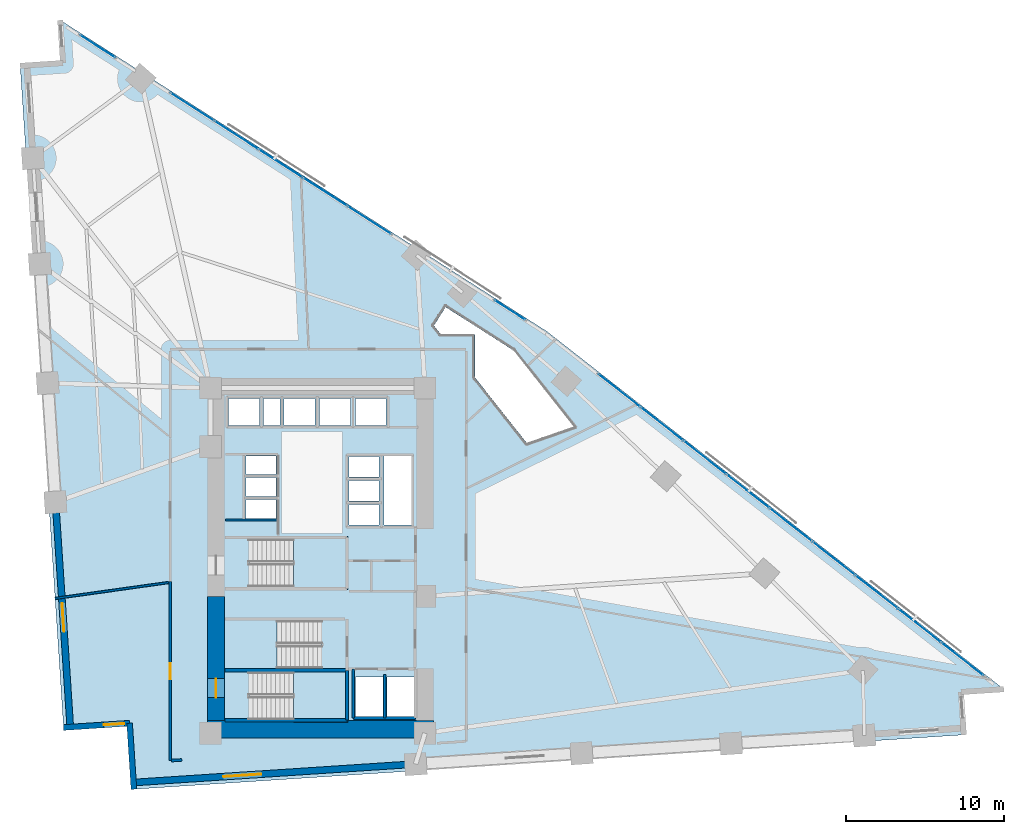
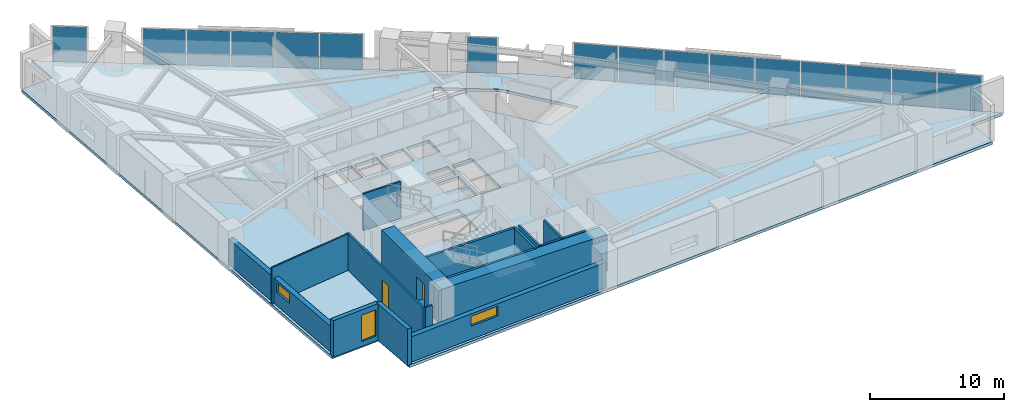
# One storey, part 10 of 15: 16 plates, 16 walls, 4 slabs, 3 windows, 2 doors, 5 openings, 7 elements without a shape of their own.
"""IFC4 building model written with IfcOpenShell, lengths in metres."""

from ifc_helpers import new_model, si_unit, direction, frame, frame_2d, origin, origin_2d, place, context, subcontext, project, spatial, polyline, rectangle, outline, extrude, material, layer, layer_set, type_object, element, fill, aggregate, save


model = new_model("IFC4")

# Units and contexts
model_context = context("Model", 3, precision=1e-05, world=origin(), true_north=direction((0.0, 1.0)))
body_context = subcontext(model_context, "Body", "Model", "MODEL_VIEW")
ifc_project = project(units=[si_unit("LENGTHUNIT", "METRE"), si_unit("AREAUNIT", "SQUARE_METRE"), si_unit("VOLUMEUNIT", "CUBIC_METRE"), si_unit("PLANEANGLEUNIT", "RADIAN"), si_unit("MASSUNIT", "GRAM", prefix="KILO")], contexts=[model_context])

# Site, building, storey
site_placement = place(None, origin())
site = spatial("IfcSite", under=ifc_project, at=site_placement, CompositionType="ELEMENT")
building_placement = place(site_placement, origin())
building = spatial("IfcBuilding", under=site, at=building_placement, Name="Narakoshi Arena Tower", CompositionType="ELEMENT")
storey_placement = place(building_placement, frame((0.0, 0.0, 74.10009765625)))
storey = spatial("IfcBuildingStorey", under=building, at=storey_placement, Name="L19", CompositionType="ELEMENT", Elevation=74.10009765625)

# Curtain wall, plates
ifc_material_1 = material(Name="Anodised bronze aluminium 6063-T6", Category="aluminium")
curtain_wall_type = type_object("IfcCurtainWallType", Name="CW-HYP-LOW", PredefinedType="NOTDEFINED", material=ifc_material_1)
curtain_wall_1_placement = place(storey_placement, origin())
curtain_wall_1 = element("IfcCurtainWall", 1, at=curtain_wall_1_placement, inside=storey, type_object=curtain_wall_type, Name="L19 Folded Hypotenuse Curtain Wall 1-1", PredefinedType="NOTDEFINED")
ifc_material_2 = material(Name="Bronze-tinted low-E laminated glass", Category="glass")
ifc_layer_1 = layer(ifc_material_2, 0.031982421875)
ifc_layer_set_1 = layer_set([ifc_layer_1], Name="Bronze-tinted low-E laminated glass")
plate_type = type_object("IfcPlateType", Name="PLT-GLZ-32", PredefinedType="CURTAIN_PANEL", material=ifc_layer_set_1)
plate_1_placement = place(storey_placement, frame((119.491455078125, 39.385986328125, 0.06494140625), z_axis=(0.0, 0.0, 1.0), x_axis=(-0.787387607817, 0.616458234641, 0.0)))
plate_1 = element("IfcPlate", 2, at=plate_1_placement, type_object=plate_type, Name="CW-01 panel 1.1", PredefinedType="CURTAIN_PANEL", context=body_context, shape_type="SweptSolid", body=[
    extrude(rectangle(XDim=3.331298828125, YDim=0.031982421875, at=origin_2d()), origin(), (0.0, 0.0, 1.0), 3.2099609375),
])
plate_2_placement = place(storey_placement, frame((116.794677734375, 41.497314453125, 0.06494140625), z_axis=(0.0, 0.0, 1.0), x_axis=(-0.787387607817, 0.616458234641, 0.0)))
plate_2 = element("IfcPlate", 3, at=plate_2_placement, type_object=plate_type, Name="CW-01 panel 2.1", PredefinedType="CURTAIN_PANEL", context=body_context, shape_type="SweptSolid", body=[
    extrude(rectangle(XDim=3.36865234375, YDim=0.031982421875, at=origin_2d()), origin(), (0.0, 0.0, 1.0), 3.2099609375),
])
plate_3_placement = place(storey_placement, frame((114.083251953125, 43.620361328125, 0.06494140625), z_axis=(0.0, 0.0, 1.0), x_axis=(-0.787387607817, 0.616458234641, 0.0)))
plate_3 = element("IfcPlate", 4, at=plate_3_placement, type_object=plate_type, Name="CW-01 panel 3.1", PredefinedType="CURTAIN_PANEL", context=body_context, shape_type="SweptSolid", body=[
    extrude(rectangle(XDim=3.36865234375, YDim=0.031982421875, at=origin_2d()), origin(), (0.0, 0.0, 1.0), 3.2099609375),
])
plate_4_placement = place(storey_placement, frame((111.37158203125, 45.7431640625, 0.06494140625), z_axis=(0.0, 0.0, 1.0), x_axis=(-0.787387607817, 0.616458234641, 0.0)))
plate_4 = element("IfcPlate", 5, at=plate_4_placement, type_object=plate_type, Name="CW-01 panel 4.1", PredefinedType="CURTAIN_PANEL", context=body_context, shape_type="SweptSolid", body=[
    extrude(rectangle(XDim=3.36865234375, YDim=0.031982421875, at=origin_2d()), origin(), (0.0, 0.0, 1.0), 3.2099609375),
])
plate_5_placement = place(storey_placement, frame((108.66015625, 47.8662109375, 0.06494140625), z_axis=(0.0, 0.0, 1.0), x_axis=(-0.787387607817, 0.616458234641, 0.0)))
plate_5 = element("IfcPlate", 6, at=plate_5_placement, type_object=plate_type, Name="CW-01 panel 5.1", PredefinedType="CURTAIN_PANEL", context=body_context, shape_type="SweptSolid", body=[
    extrude(rectangle(XDim=3.36865234375, YDim=0.031982421875, at=origin_2d()), origin(), (0.0, 0.0, 1.0), 3.2099609375),
])
plate_6_placement = place(storey_placement, frame((105.948486328125, 49.989013671875, 0.06494140625), z_axis=(0.0, 0.0, 1.0), x_axis=(-0.787387607817, 0.616458234641, 0.0)))
plate_6 = element("IfcPlate", 7, at=plate_6_placement, type_object=plate_type, Name="CW-01 panel 6.1", PredefinedType="CURTAIN_PANEL", context=body_context, shape_type="SweptSolid", body=[
    extrude(rectangle(XDim=3.36865234375, YDim=0.031982421875, at=origin_2d()), origin(), (0.0, 0.0, 1.0), 3.2099609375),
])
plate_7_placement = place(storey_placement, frame((103.237060546875, 52.11181640625, 0.06494140625), z_axis=(0.0, 0.0, 1.0), x_axis=(-0.787387607817, 0.616458234641, 0.0)))
plate_7 = element("IfcPlate", 8, at=plate_7_placement, type_object=plate_type, Name="CW-01 panel 7.1", PredefinedType="CURTAIN_PANEL", context=body_context, shape_type="SweptSolid", body=[
    extrude(rectangle(XDim=3.36865234375, YDim=0.031982421875, at=origin_2d()), origin(), (0.0, 0.0, 1.0), 3.2099609375),
])
plate_8_placement = place(storey_placement, frame((100.525634765625, 54.23486328125, 0.06494140625), z_axis=(0.0, 0.0, 1.0), x_axis=(-0.787387607817, 0.616458234641, 0.0)))
plate_8 = element("IfcPlate", 9, at=plate_8_placement, type_object=plate_type, Name="CW-01 panel 8.1", PredefinedType="CURTAIN_PANEL", context=body_context, shape_type="SweptSolid", body=[
    extrude(rectangle(XDim=3.36865234375, YDim=0.031982421875, at=origin_2d()), origin(), (0.0, 0.0, 1.0), 3.2099609375),
])
plate_9_placement = place(storey_placement, frame((97.828857421875, 56.34619140625, 0.06494140625), z_axis=(0.0, 0.0, 1.0), x_axis=(-0.787387607817, 0.616458234641, 0.0)))
plate_9 = element("IfcPlate", 10, at=plate_9_placement, type_object=plate_type, Name="CW-01 panel 9.1", PredefinedType="CURTAIN_PANEL", context=body_context, shape_type="SweptSolid", body=[
    extrude(rectangle(XDim=3.331298828125, YDim=0.031982421875, at=origin_2d()), origin(), (0.0, 0.0, 1.0), 3.2099609375),
])
aggregate(curtain_wall_1, [plate_1, plate_2, plate_3, plate_4, plate_5, plate_6, plate_7, plate_8, plate_9])

# Curtain wall, plate
curtain_wall_2_placement = place(storey_placement, origin())
curtain_wall_2 = element("IfcCurtainWall", 11, at=curtain_wall_2_placement, inside=storey, type_object=curtain_wall_type, Name="L19 Folded Hypotenuse Curtain Wall 2-1", PredefinedType="NOTDEFINED")
plate_10_placement = place(storey_placement, frame((90.921142578125, 61.4287109375, 0.06494140625), z_axis=(0.0, 0.0, 1.0), x_axis=(-0.842419407448, 0.538822365864, 0.0)))
plate_10 = element("IfcPlate", 12, at=plate_10_placement, type_object=plate_type, Name="CW-01 panel 1.1", PredefinedType="CURTAIN_PANEL", context=body_context, shape_type="SweptSolid", body=[
    extrude(rectangle(XDim=2.25439453125, YDim=0.031982421875, at=origin_2d()), origin(), (0.0, 0.0, 1.0), 3.2099609375),
])
aggregate(curtain_wall_2, [plate_10])

# Curtain wall, plates
curtain_wall_3_placement = place(storey_placement, origin())
curtain_wall_3 = element("IfcCurtainWall", 13, at=curtain_wall_3_placement, inside=storey, type_object=curtain_wall_type, Name="L19 Folded Hypotenuse Curtain Wall 2-2", PredefinedType="NOTDEFINED")
plate_11_placement = place(storey_placement, frame((82.033447265625, 67.113525390625, 0.06494140625), z_axis=(0.0, 0.0, 1.0), x_axis=(-0.842415100992, 0.538829098714, 0.0)))
plate_11 = element("IfcPlate", 14, at=plate_11_placement, type_object=plate_type, Name="CW-01 panel 1.1", PredefinedType="CURTAIN_PANEL", context=body_context, shape_type="SweptSolid", body=[
    extrude(rectangle(XDim=3.2158203125, YDim=0.031982421875, at=origin_2d()), origin(), (0.0, 0.0, 1.0), 3.2099609375),
])
plate_12_placement = place(storey_placement, frame((79.24560546875, 68.896728515625, 0.06494140625), z_axis=(0.0, 0.0, 1.0), x_axis=(-0.842415100992, 0.538829098714, 0.0)))
plate_12 = element("IfcPlate", 15, at=plate_12_placement, type_object=plate_type, Name="CW-01 panel 2.1", PredefinedType="CURTAIN_PANEL", context=body_context, shape_type="SweptSolid", body=[
    extrude(rectangle(XDim=3.253173828125, YDim=0.031982421875, at=origin_2d()), origin(), (0.0, 0.0, 1.0), 3.2099609375),
])
plate_13_placement = place(storey_placement, frame((76.441650390625, 70.690185546875, 0.06494140625), z_axis=(0.0, 0.0, 1.0), x_axis=(-0.842415100992, 0.538829098714, 0.0)))
plate_13 = element("IfcPlate", 16, at=plate_13_placement, type_object=plate_type, Name="CW-01 panel 3.1", PredefinedType="CURTAIN_PANEL", context=body_context, shape_type="SweptSolid", body=[
    extrude(rectangle(XDim=3.253173828125, YDim=0.031982421875, at=origin_2d()), origin(), (0.0, 0.0, 1.0), 3.2099609375),
])
plate_14_placement = place(storey_placement, frame((73.637939453125, 72.4833984375, 0.06494140625), z_axis=(0.0, 0.0, 1.0), x_axis=(-0.842415100992, 0.538829098714, 0.0)))
plate_14 = element("IfcPlate", 17, at=plate_14_placement, type_object=plate_type, Name="CW-01 panel 4.1", PredefinedType="CURTAIN_PANEL", context=body_context, shape_type="SweptSolid", body=[
    extrude(rectangle(XDim=3.253173828125, YDim=0.031982421875, at=origin_2d()), origin(), (0.0, 0.0, 1.0), 3.2099609375),
])
plate_15_placement = place(storey_placement, frame((70.85009765625, 74.266845703125, 0.06494140625), z_axis=(0.0, 0.0, 1.0), x_axis=(-0.842415100992, 0.538829098714, 0.0)))
plate_15 = element("IfcPlate", 18, at=plate_15_placement, type_object=plate_type, Name="CW-01 panel 5.1", PredefinedType="CURTAIN_PANEL", context=body_context, shape_type="SweptSolid", body=[
    extrude(rectangle(XDim=3.2158203125, YDim=0.031982421875, at=origin_2d()), origin(), (0.0, 0.0, 1.0), 3.2099609375),
])
aggregate(curtain_wall_3, [plate_11, plate_12, plate_13, plate_14, plate_15])

# Curtain wall, plate
curtain_wall_4_placement = place(storey_placement, origin())
curtain_wall_4 = element("IfcCurtainWall", 19, at=curtain_wall_4_placement, inside=storey, type_object=curtain_wall_type, Name="L19 Folded Hypotenuse Curtain Wall 2-3", PredefinedType="NOTDEFINED")
plate_16_placement = place(storey_placement, frame((64.867919921875, 78.093017578125, 0.06494140625), z_axis=(0.0, 0.0, 1.0), x_axis=(-0.842407418791, 0.538841109017, 0.0)))
plate_16 = element("IfcPlate", 20, at=plate_16_placement, type_object=plate_type, Name="CW-01 panel 1.1", PredefinedType="CURTAIN_PANEL", context=body_context, shape_type="SweptSolid", body=[
    extrude(rectangle(XDim=2.60009765625, YDim=0.031982421875, at=origin_2d()), origin(), (0.0, 0.0, 1.0), 3.2099609375),
])
aggregate(curtain_wall_4, [plate_16])

# Stair, slab
ifc_material_3 = material(Name="Concrete C45/55", Category="concrete")
stair_type = type_object("IfcStairType", Name="STR-CORE-360", PredefinedType="TWO_STRAIGHT_RUN_STAIR", material=ifc_material_3)
stair_1_placement = place(storey_placement, origin())
stair_1 = element("IfcStair", 21, at=stair_1_placement, inside=storey, type_object=stair_type, Name="L19 Core Escape Stair ST1", PredefinedType="TWO_STRAIGHT_RUN_STAIR")
ifc_layer_2 = layer(ifc_material_3, 0.18994140625)
ifc_layer_set_2 = layer_set([ifc_layer_2], Name="Concrete C45/55")
slab_type_1 = type_object("IfcSlabType", Name="SLB-LND-190", PredefinedType="LANDING", material=ifc_layer_set_2)
slab_1_placement = place(storey_placement, frame((0.0, 0.0, 1.60986328125)))
slab_1 = element("IfcSlab", 22, at=slab_1_placement, type_object=slab_type_1, Name="ST1 landing 1", PredefinedType="LANDING", context=body_context, shape_type="SweptSolid", body=[
    extrude(outline(polyline([(77.25, 35.3701171875), (80.679931640625, 35.3701171875), (80.679931640625, 38.72998046875), (77.25, 38.72998046875), (77.25, 35.3701171875)])), origin(), (0.0, 0.0, 1.0), 0.18994140625),
])
aggregate(stair_1, [slab_1])

stair_2_placement = place(storey_placement, origin())
stair_2 = element("IfcStair", 23, at=stair_2_placement, inside=storey, type_object=stair_type, Name="L19 Core Escape Stair ST2", PredefinedType="TWO_STRAIGHT_RUN_STAIR")
slab_2_placement = place(storey_placement, frame((0.0, 0.0, 1.60986328125)))
slab_2 = element("IfcSlab", 24, at=slab_2_placement, type_object=slab_type_1, Name="ST2 landing 1", PredefinedType="LANDING", context=body_context, shape_type="SweptSolid", body=[
    extrude(outline(polyline([(72.77001953125, 38.6201171875), (76.199951171875, 38.6201171875), (76.199951171875, 41.97998046875), (72.77001953125, 41.97998046875), (72.77001953125, 38.6201171875)])), origin(), (0.0, 0.0, 1.0), 0.18994140625),
])
aggregate(stair_2, [slab_2])

stair_3_placement = place(storey_placement, origin())
stair_3 = element("IfcStair", 25, at=stair_3_placement, inside=storey, type_object=stair_type, Name="L19 Core Escape Stair ST3", PredefinedType="TWO_STRAIGHT_RUN_STAIR")
slab_3_placement = place(storey_placement, frame((0.0, 0.0, 1.60986328125)))
slab_3 = element("IfcSlab", 26, at=slab_3_placement, type_object=slab_type_1, Name="ST3 landing 1", PredefinedType="LANDING", context=body_context, shape_type="SweptSolid", body=[
    extrude(outline(polyline([(77.25, 43.77001953125), (80.679931640625, 43.77001953125), (80.679931640625, 47.1298828125), (77.25, 47.1298828125), (77.25, 43.77001953125)])), origin(), (0.0, 0.0, 1.0), 0.18994140625),
])
aggregate(stair_3, [slab_3])

# Slab
ifc_material_4 = material(Name="Concrete C50/60", Category="concrete")
ifc_layer_3 = layer(ifc_material_4, 0.260009765625)
ifc_layer_set_3 = layer_set([ifc_layer_3], Name="Concrete C50/60")
slab_type_2 = type_object("IfcSlabType", Name="SLB-SKY-260", PredefinedType="FLOOR", material=ifc_layer_set_3)
slab_4_placement = place(storey_placement, frame((0.0, 0.0, -0.260009765625)))
element("IfcSlab", 27, at=slab_4_placement, inside=storey, type_object=slab_type_2, Name="L19 Structural Floor Slab", PredefinedType="FLOOR", context=body_context, shape_type="SweptSolid", body=[
    extrude(outline(polyline([(67.160888671875, 31.15869140625), (119.58447265625, 34.594482421875), (119.40673828125, 37.30517578125), (122.1171875, 37.48291015625), (93.26220703125, 60.07373046875), (62.5107421875, 79.743408203125), (62.688232421875, 77.03271484375), (59.977783203125, 76.85498046875), (62.717529296875, 35.055419921875), (66.887451171875, 35.32861328125), (67.160888671875, 31.15869140625)]), holes=[polyline([(74.47998046875, 35.550048828125), (74.47998046875, 38.550048828125), (80.5, 38.550048828125), (80.5, 35.550048828125), (74.47998046875, 35.550048828125)]), polyline([(81.14990234375, 35.75), (81.14990234375, 38.25), (82.89990234375, 38.25), (82.89990234375, 35.75), (81.14990234375, 35.75)]), polyline([(83.14990234375, 35.75), (83.14990234375, 38.25), (84.89990234375, 38.25), (84.89990234375, 35.75), (83.14990234375, 35.75)]), polyline([(72.949951171875, 38.800048828125), (72.949951171875, 41.800048828125), (78.969970703125, 41.800048828125), (78.969970703125, 38.800048828125), (72.949951171875, 38.800048828125)]), polyline([(74.47998046875, 43.949951171875), (74.47998046875, 46.949951171875), (80.5, 46.949951171875), (80.5, 43.949951171875), (74.47998046875, 43.949951171875)]), polyline([(82.949951171875, 47.840087890625), (82.949951171875, 52.199951171875), (84.699951171875, 52.199951171875), (84.699951171875, 47.840087890625), (82.949951171875, 47.840087890625)]), polyline([(80.75, 47.85009765625), (80.75, 49.14990234375), (82.64990234375, 49.14990234375), (82.64990234375, 47.85009765625), (80.75, 47.85009765625)]), polyline([(74.25, 48.25), (74.25, 49.449951171875), (76.14990234375, 49.449951171875), (76.14990234375, 48.25), (74.25, 48.25)]), polyline([(80.75, 49.3701171875), (80.75, 50.669921875), (82.64990234375, 50.669921875), (82.64990234375, 49.3701171875), (80.75, 49.3701171875)]), polyline([(74.25, 49.64990234375), (74.25, 50.85009765625), (76.14990234375, 50.85009765625), (76.14990234375, 49.64990234375), (74.25, 49.64990234375)]), polyline([(80.75, 50.889892578125), (80.75, 52.18994140625), (82.64990234375, 52.18994140625), (82.64990234375, 50.889892578125), (80.75, 50.889892578125)]), polyline([(74.25, 51.050048828125), (74.25, 52.2099609375), (76.14990234375, 52.2099609375), (76.14990234375, 51.050048828125), (74.25, 51.050048828125)]), polyline([(91.15478515625, 58.86962890625), (94.96044921875, 54.05859375), (91.984375, 53.02880859375), (88.699951171875, 57.1806640625), (88.699951171875, 59.89990234375), (86.548828125, 59.89990234375), (86.112548828125, 60.451416015625), (86.85400390625, 61.620361328125), (91.15478515625, 58.86962890625)]), polyline([(73.14990234375, 54.14990234375), (73.14990234375, 55.85009765625), (75.10009765625, 55.85009765625), (75.10009765625, 54.14990234375), (73.14990234375, 54.14990234375)]), polyline([(75.35009765625, 55.85009765625), (76.39990234375, 55.85009765625), (76.39990234375, 54.14990234375), (75.35009765625, 54.14990234375), (75.35009765625, 55.85009765625)]), polyline([(76.64990234375, 55.85009765625), (78.60009765625, 55.85009765625), (78.60009765625, 54.14990234375), (76.64990234375, 54.14990234375), (76.64990234375, 55.85009765625)]), polyline([(78.89990234375, 54.14990234375), (78.89990234375, 55.85009765625), (80.85009765625, 55.85009765625), (80.85009765625, 54.14990234375), (78.89990234375, 54.14990234375)]), polyline([(81.14990234375, 55.85009765625), (83.10009765625, 55.85009765625), (83.10009765625, 54.14990234375), (81.14990234375, 54.14990234375), (81.14990234375, 55.85009765625)])]), origin(), (0.0, 0.0, 1.0), 0.260009765625),
])

# Wall, opening, door
ifc_material_5 = material(Name="Concrete C60/75", Category="concrete")
ifc_layer_4 = layer(ifc_material_5, 1.10009765625)
ifc_layer_set_4 = layer_set([ifc_layer_4], Name="Concrete C60/75")
wall_type_1 = type_object("IfcWallType", Name="WL-CORE-1100", PredefinedType="SHEAR", material=ifc_layer_set_4)
wall_1_placement = place(storey_placement, frame((72.35009765625, 35.5, -0.260009765625), z_axis=(0.0, 0.0, 1.0), x_axis=(0.0, 1.0, 0.0)))
wall_1 = element("IfcWall", 28, at=wall_1_placement, inside=storey, type_object=wall_type_1, Name="L19 Central Core Shear Wall CW-APX-W", PredefinedType="SHEAR", context=body_context, shape_type="SweptSolid", body=[
    extrude(rectangle(XDim=7.85009765625, YDim=1.10009765625, at=frame_2d((3.925048828125, 0.0))), origin(), (0.0, 0.0, 1.0), 3.599853515625),
])
opening_1_placement = place(wall_1_placement, frame((1.449951171875, 0.0, 0.260009765625)))
opening_1 = element("IfcOpeningElement", 29, at=opening_1_placement, cuts=wall_1, Name="Opening D-03", PredefinedType="OPENING", context=body_context, shape_type="SweptSolid", body=[
    extrude(rectangle(XDim=1.199951171875, YDim=2.199951171875, at=frame_2d((0.60009765625, 1.10009765625))), frame((0.0, 0.56005859375, 0.0), z_axis=(0.0, -1.0, 0.0), x_axis=(1.0, 0.0, 0.0)), (0.0, 0.0, 1.0), 1.1201171875),
])
ifc_material_6 = material(Name="Painted galvanized steel", Category="steel")
door_type_1 = type_object("IfcDoorType", Name="DR-STR-1200", OperationType="NOTDEFINED", PredefinedType="USERDEFINED", material=ifc_material_6)
door_1_placement = place(opening_1_placement, frame((1.199951171875, 0.0, 0.0), z_axis=(0.0, 0.0, 1.0), x_axis=(-1.0, 0.0, 0.0)))
door_1 = element("IfcDoor", 30, at=door_1_placement, inside=storey, type_object=door_type_1, Name="DR-L19-001", ObjectType="EXITDOOR", OperationType="SINGLE_SWING_LEFT", OverallHeight=2.199951171875, OverallWidth=1.199951171875, PredefinedType="USERDEFINED", context=body_context, shape_type="SweptSolid", body=[
    extrude(rectangle(XDim=1.199951171875, YDim=2.199951171875, at=frame_2d((0.60009765625, 1.10009765625))), frame((0.0, 0.02490234375, 0.0), z_axis=(0.0, -1.0, 0.0), x_axis=(1.0, 0.0, 0.0)), (0.0, 0.0, 1.0), 0.050048828125),
])
fill(opening_1, door_1)

# Wall
wall_2_placement = place(storey_placement, frame((71.800048828125, 34.949951171875, -0.260009765625), z_axis=(0.0, 0.0, 1.0), x_axis=(1.0, 0.0, 0.0)))
element("IfcWall", 31, at=wall_2_placement, inside=storey, type_object=wall_type_1, Name="L19 Central Core Shear Wall CW-APX-S", PredefinedType="SHEAR", context=body_context, shape_type="SweptSolid", body=[
    extrude(rectangle(XDim=14.300048828125, YDim=1.10009765625, at=frame_2d((7.14990234375, 0.0))), origin(), (0.0, 0.0, 1.0), 3.599853515625),
])

# Wall, opening, door
ifc_material_7 = material(Name="Gypsum plasterboard fire-rated partition")
ifc_layer_5 = layer(ifc_material_7, 0.1650390625)
ifc_layer_set_5 = layer_set([ifc_layer_5], Name="Gypsum plasterboard fire-rated partition")
wall_type_2 = type_object("IfcWallType", Name="WL-CORR-165", PredefinedType="PARTITIONING", material=ifc_layer_set_5)
wall_3_placement = place(storey_placement, frame((69.449951171875, 44.267822265625, 0.0), z_axis=(0.0, 0.0, 1.0), x_axis=(0.0, -1.0, 0.0)))
wall_3 = element("IfcWall", 32, at=wall_3_placement, inside=storey, type_object=wall_type_2, Name="L19 Corridor Partition 01-1", PredefinedType="PARTITIONING", context=body_context, shape_type="SweptSolid", body=[
    extrude(rectangle(XDim=11.3056640625, YDim=0.1650390625, at=frame_2d((5.65283203125, 0.0))), origin(), (0.0, 0.0, 1.0), 3.33984375),
])
opening_2_placement = place(wall_3_placement, frame((5.15283203125, 0.0, 0.0)))
opening_2 = element("IfcOpeningElement", 33, at=opening_2_placement, cuts=wall_3, Name="Opening D-06", PredefinedType="OPENING", context=body_context, shape_type="SweptSolid", body=[
    extrude(rectangle(XDim=1.0, YDim=2.199951171875, at=frame_2d((0.5, 1.10009765625))), frame((0.0, 0.092529296875, 0.0), z_axis=(0.0, -1.0, 0.0), x_axis=(1.0, 0.0, 0.0)), (0.0, 0.0, 1.0), 0.18505859375),
])
ifc_material_8 = material(Name="Stained oak solid-core timber", Category="wood")
door_type_2 = type_object("IfcDoorType", Name="DR-OFF-1000", OperationType="NOTDEFINED", PredefinedType="DOOR", material=ifc_material_8)
door_2_placement = place(opening_2_placement, frame((1.0, 0.0, 0.0), z_axis=(0.0, 0.0, 1.0), x_axis=(-1.0, 0.0, 0.0)))
door_2 = element("IfcDoor", 34, at=door_2_placement, inside=storey, type_object=door_type_2, Name="DR-L19-014", OperationType="SINGLE_SWING_LEFT", OverallHeight=2.199951171875, OverallWidth=1.0, PredefinedType="DOOR", context=body_context, shape_type="SweptSolid", body=[
    extrude(rectangle(XDim=1.0, YDim=2.199951171875, at=frame_2d((0.5, 1.10009765625))), frame((0.0, 0.02490234375, 0.0), z_axis=(0.0, -1.0, 0.0), x_axis=(1.0, 0.0, 0.0)), (0.0, 0.0, 1.0), 0.050048828125),
])
fill(opening_2, door_2)

# Walls
wall_4_placement = place(storey_placement, frame((69.54443359375, 32.968505859375, 0.0), z_axis=(0.0, 0.0, 1.0), x_axis=(0.997863449428, 0.065334036278, 0.0)))
element("IfcWall", 35, at=wall_4_placement, inside=storey, type_object=wall_type_2, Name="L19 Corridor Partition 01-2", PredefinedType="PARTITIONING", context=body_context, shape_type="SweptSolid", body=[
    extrude(rectangle(XDim=0.642822265625, YDim=0.1650390625, at=frame_2d((0.3212890625, 0.0))), origin(), (0.0, 0.0, 1.0), 3.33984375),
])
ifc_layer_6 = layer(ifc_material_7, 0.125)
ifc_layer_set_6 = layer_set([ifc_layer_6], Name="Gypsum plasterboard fire-rated partition")
wall_type_3 = type_object("IfcWallType", Name="WL-PART-125", PredefinedType="PARTITIONING", material=ifc_layer_set_6)
wall_5_placement = place(storey_placement, frame((62.182861328125, 43.2119140625, 0.0), z_axis=(0.0, 0.0, 1.0), x_axis=(0.990300324939, 0.138943392879, 0.0)))
element("IfcWall", 36, at=wall_5_placement, inside=storey, type_object=wall_type_3, Name="L19 Inter-Room Partition 01-07", PredefinedType="PARTITIONING", context=body_context, shape_type="SweptSolid", body=[
    extrude(rectangle(XDim=7.242919921875, YDim=0.125, at=frame_2d((3.62158203125, 0.0))), origin(), (0.0, 0.0, 1.0), 3.33984375),
])

# Wall, opening, window
ifc_material_9 = material(Name="Precast concrete C45/55", Category="concrete")
ifc_layer_7 = layer(ifc_material_9, 0.419921875)
ifc_layer_set_7 = layer_set([ifc_layer_7], Name="Precast concrete C45/55")
wall_type_4 = type_object("IfcWallType", Name="WL-POD-420", PredefinedType="SOLIDWALL", material=ifc_layer_set_7)
wall_6_placement = place(storey_placement, frame((67.133056640625, 31.582763671875, 0.0), z_axis=(0.0, 0.0, 1.0), x_axis=(0.997859040617, 0.065401338356, 0.0)))
wall_6 = element("IfcWall", 37, at=wall_6_placement, inside=storey, type_object=wall_type_4, Name="L19 Architectural Concrete Facade Wall LEGA-1", PredefinedType="SOLIDWALL", context=body_context, shape_type="SweptSolid", body=[
    extrude(rectangle(XDim=17.8623046875, YDim=0.419921875, at=frame_2d((8.93115234375, 0.0))), origin(), (0.0, 0.0, 1.0), 2.324951171875),
])
opening_3_placement = place(wall_6_placement, frame((5.699951171875, 0.0, 1.199951171875)))
opening_3 = element("IfcOpeningElement", 38, at=opening_3_placement, cuts=wall_6, Name="Opening WN-01", PredefinedType="OPENING", context=body_context, shape_type="SweptSolid", body=[
    extrude(rectangle(XDim=2.39990234375, YDim=0.89990234375, at=frame_2d((1.199951171875, 0.449951171875))), frame((0.0, 0.219970703125, 0.0), z_axis=(0.0, -1.0, 0.0), x_axis=(1.0, 0.0, 0.0)), (0.0, 0.0, 1.0), 0.43994140625),
])
window_type_1 = type_object("IfcWindowType", Name="WIN-SLT-24x09", PartitioningType="SINGLE_PANEL", PredefinedType="WINDOW", material=ifc_material_2)
window_1_placement = place(opening_3_placement, origin())
window_1 = element("IfcWindow", 39, at=window_1_placement, inside=storey, type_object=window_type_1, Name="L19 LEGA1 Horizontal Slot Window 1", OverallHeight=0.89990234375, OverallWidth=2.39990234375, PartitioningType="SINGLE_PANEL", PredefinedType="WINDOW", context=body_context, shape_type="SweptSolid", body=[
    extrude(rectangle(XDim=2.39990234375, YDim=0.89990234375, at=frame_2d((1.199951171875, 0.449951171875))), frame((0.0, 0.030029296875, 0.0), z_axis=(0.0, -1.0, 0.0), x_axis=(1.0, 0.0, 0.0)), (0.0, 0.0, 1.0), 0.06005859375),
])
fill(opening_3, window_1)

wall_7_placement = place(storey_placement, frame((62.210205078125, 49.294921875, 0.0), z_axis=(0.0, 0.0, 1.0), x_axis=(0.065396027757, -0.997859388668, 0.0)))
wall_7 = element("IfcWall", 40, at=wall_7_placement, inside=storey, type_object=wall_type_4, Name="L19 Architectural Concrete Facade Wall LEGB-3", PredefinedType="SOLIDWALL", context=body_context, shape_type="SweptSolid", body=[
    extrude(rectangle(XDim=14.242431640625, YDim=0.419921875, at=frame_2d((7.12109375, 0.0))), origin(), (0.0, 0.0, 1.0), 2.324951171875),
])
opening_4_placement = place(wall_7_placement, frame((6.39990234375, 0.0, 1.199951171875)))
opening_4 = element("IfcOpeningElement", 41, at=opening_4_placement, cuts=wall_7, Name="Opening WN-02", PredefinedType="OPENING", context=body_context, shape_type="SweptSolid", body=[
    extrude(rectangle(XDim=1.800048828125, YDim=0.89990234375, at=frame_2d((0.89990234375, 0.449951171875))), frame((0.0, 0.219970703125, 0.0), z_axis=(0.0, -1.0, 0.0), x_axis=(1.0, 0.0, 0.0)), (0.0, 0.0, 1.0), 0.43994140625),
])
window_type_2 = type_object("IfcWindowType", Name="WIN-SLT-18x09", PartitioningType="SINGLE_PANEL", PredefinedType="WINDOW", material=ifc_material_2)
window_2_placement = place(opening_4_placement, origin())
window_2 = element("IfcWindow", 42, at=window_2_placement, inside=storey, type_object=window_type_2, Name="L19 LEGB3 Horizontal Slot Window 1", OverallHeight=0.89990234375, OverallWidth=1.800048828125, PartitioningType="SINGLE_PANEL", PredefinedType="WINDOW", context=body_context, shape_type="SweptSolid", body=[
    extrude(rectangle(XDim=1.800048828125, YDim=0.89990234375, at=frame_2d((0.89990234375, 0.449951171875))), frame((0.0, 0.030029296875, 0.0), z_axis=(0.0, -1.0, 0.0), x_axis=(1.0, 0.0, 0.0)), (0.0, 0.0, 1.0), 0.06005859375),
])
fill(opening_4, window_2)

wall_8_placement = place(storey_placement, frame((62.717529296875, 35.055419921875, 0.0), z_axis=(0.0, 0.0, 1.0), x_axis=(0.997860761953, 0.065375069826, 0.0)))
wall_8 = element("IfcWall", 43, at=wall_8_placement, inside=storey, type_object=wall_type_4, Name="L19 Re-Entrant Corner Notch Wall NTA-1", PredefinedType="SOLIDWALL", context=body_context, shape_type="SweptSolid", body=[
    extrude(rectangle(XDim=4.178955078125, YDim=0.360107421875, at=frame_2d((2.08935546875, 0.0))), origin(), (0.0, 0.0, 1.0), 3.33984375),
])
opening_5_placement = place(wall_8_placement, frame((2.5390625, 0.0, 0.449951171875)))
opening_5 = element("IfcOpeningElement", 44, at=opening_5_placement, cuts=wall_8, Name="Opening WN-06", PredefinedType="OPENING", context=body_context, shape_type="SweptSolid", body=[
    extrude(rectangle(XDim=1.300048828125, YDim=2.39990234375, at=frame_2d((0.64990234375, 1.199951171875))), frame((0.0, 0.18994140625, 0.0), z_axis=(0.0, -1.0, 0.0), x_axis=(1.0, 0.0, 0.0)), (0.0, 0.0, 1.0), 0.380126953125),
])
window_type_3 = type_object("IfcWindowType", Name="WIN-NTC-16x24", PartitioningType="SINGLE_PANEL", PredefinedType="WINDOW", material=ifc_material_2)
window_3_placement = place(opening_5_placement, origin())
window_3 = element("IfcWindow", 45, at=window_3_placement, inside=storey, type_object=window_type_3, Name="L19 Corner Notch Window NTA", OverallHeight=2.39990234375, OverallWidth=1.300048828125, PartitioningType="SINGLE_PANEL", PredefinedType="WINDOW", context=body_context, shape_type="SweptSolid", body=[
    extrude(rectangle(XDim=1.300048828125, YDim=2.39990234375, at=frame_2d((0.64990234375, 1.199951171875))), frame((0.0, 0.030029296875, 0.0), z_axis=(0.0, -1.0, 0.0), x_axis=(1.0, 0.0, 0.0)), (0.0, 0.0, 1.0), 0.06005859375),
])
fill(opening_5, window_3)

# Walls
wall_9_placement = place(storey_placement, frame((66.887451171875, 35.32861328125, 0.0), z_axis=(0.0, 0.0, 1.0), x_axis=(0.065433242561, -0.99785694905, 0.0)))
element("IfcWall", 46, at=wall_9_placement, inside=storey, type_object=wall_type_4, Name="L19 Re-Entrant Corner Notch Wall NTA-2", PredefinedType="SOLIDWALL", context=body_context, shape_type="SweptSolid", body=[
    extrude(rectangle(XDim=4.178955078125, YDim=0.360107421875, at=frame_2d((2.08935546875, 0.0))), origin(), (0.0, 0.0, 1.0), 3.33984375),
])
ifc_material_10 = material(Name="Concrete C40/50", Category="concrete")
ifc_layer_8 = layer(ifc_material_10, 0.280029296875)
ifc_layer_set_8 = layer_set([ifc_layer_8], Name="Concrete C40/50")
wall_type_5 = type_object("IfcWallType", Name="WL-RISER-280", PredefinedType="PLUMBINGWALL", material=ifc_layer_set_8)
wall_10_placement = place(storey_placement, frame((83.0, 35.64990234375, 0.0), z_axis=(0.0, 0.0, 1.0), x_axis=(0.0, 1.0, 0.0)))
element("IfcWall", 47, at=wall_10_placement, inside=storey, type_object=wall_type_5, Name="L19 Core Wall FF-DIV", PredefinedType="PLUMBINGWALL", context=body_context, shape_type="SweptSolid", body=[
    extrude(rectangle(XDim=2.75, YDim=0.159912109375, at=frame_2d((1.375, 0.0))), origin(), (0.0, 0.0, 1.0), 3.33984375),
])
wall_11_placement = place(storey_placement, frame((72.949951171875, 48.159912109375, 0.0), z_axis=(0.0, 0.0, 1.0), x_axis=(1.0, 0.0, 0.0)))
element("IfcWall", 48, at=wall_11_placement, inside=storey, type_object=wall_type_5, Name="L19 Core Wall LR-S0", PredefinedType="PLUMBINGWALL", context=body_context, shape_type="SweptSolid", body=[
    extrude(rectangle(XDim=3.239990234375, YDim=0.139892578125, at=frame_2d((1.6201171875, 0.0))), origin(), (0.0, 0.0, 1.0), 3.33984375),
])
ifc_layer_9 = layer(ifc_material_4, 0.35009765625)
ifc_layer_set_9 = layer_set([ifc_layer_9], Name="Concrete C50/60")
wall_type_6 = type_object("IfcWallType", Name="WL-SHAFT-350", PredefinedType="SOLIDWALL", material=ifc_layer_set_9)
for number, where, z_axis, x_axis, name in (
    (49, (72.919921875, 35.52001953125, -0.260009765625), (0.0, 0.0, 1.0), (1.0, 0.0, 0.0), "L19 Core Wall ST1-S"),
    (50, (72.919921875, 38.675048828125, -0.260009765625), (0.0, 0.0, 1.0), (1.0, 0.0, 0.0), "L19 Core Wall ST12-DIV"),
):
    element("IfcWall", number, at=place(storey_placement, frame(where, z_axis=z_axis, x_axis=x_axis)), inside=storey, type_object=wall_type_6, Name=name, PredefinedType="SOLIDWALL", context=body_context, shape_type="SweptSolid", body=[
        extrude(rectangle(XDim=7.7001953125, YDim=0.199951171875, at=frame_2d((3.85009765625, 0.0))), origin(), (0.0, 0.0, 1.0), 3.599853515625),
    ])
wall_12_placement = place(storey_placement, frame((80.6201171875, 35.52001953125, -0.260009765625), z_axis=(0.0, 0.0, 1.0), x_axis=(0.0, 1.0, 0.0)))
element("IfcWall", 51, at=wall_12_placement, inside=storey, type_object=wall_type_6, Name="L19 Core Wall ST1-E", PredefinedType="SOLIDWALL", context=body_context, shape_type="SweptSolid", body=[
    extrude(rectangle(XDim=3.155029296875, YDim=0.199951171875, at=frame_2d((1.57763671875, 0.0))), origin(), (0.0, 0.0, 1.0), 3.599853515625),
])
wall_13_placement = place(storey_placement, frame((81.02001953125, 35.64990234375, 0.0), z_axis=(0.0, 0.0, 1.0), x_axis=(0.0, 1.0, 0.0)))
element("IfcWall", 52, at=wall_13_placement, inside=storey, type_object=wall_type_6, Name="L19 Core Wall FF-W", PredefinedType="SOLIDWALL", context=body_context, shape_type="SweptSolid", body=[
    extrude(rectangle(XDim=3.10009765625, YDim=0.179931640625, at=frame_2d((1.550048828125, 0.0))), origin(), (0.0, 0.0, 1.0), 3.33984375),
])
wall_14_placement = place(storey_placement, frame((81.02001953125, 35.64990234375, 0.0), z_axis=(0.0, 0.0, 1.0), x_axis=(1.0, 0.0, 0.0)))
element("IfcWall", 53, at=wall_14_placement, inside=storey, type_object=wall_type_6, Name="L19 Core Wall FF-S", PredefinedType="SOLIDWALL", context=body_context, shape_type="SweptSolid", body=[
    extrude(rectangle(XDim=3.929931640625, YDim=0.179931640625, at=frame_2d((1.96484375, 0.0))), origin(), (0.0, 0.0, 1.0), 3.33984375),
])

save(model, "model.ifc")
